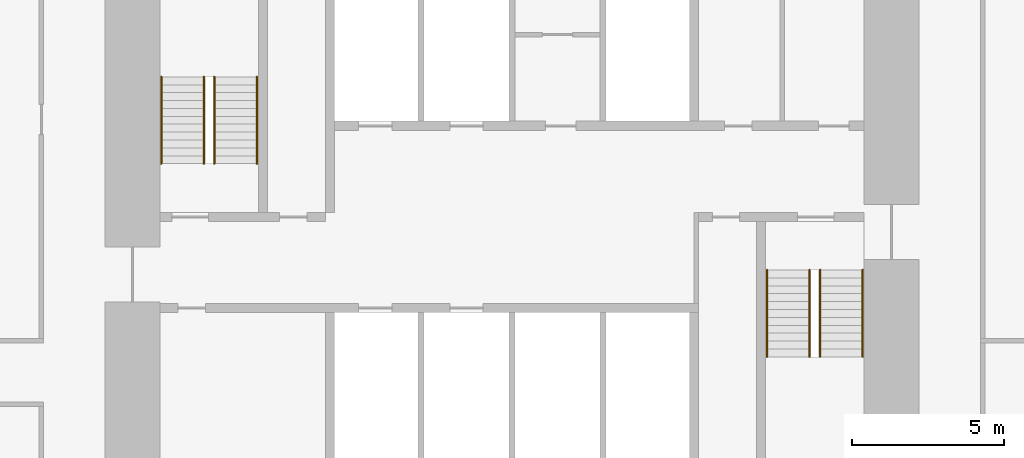
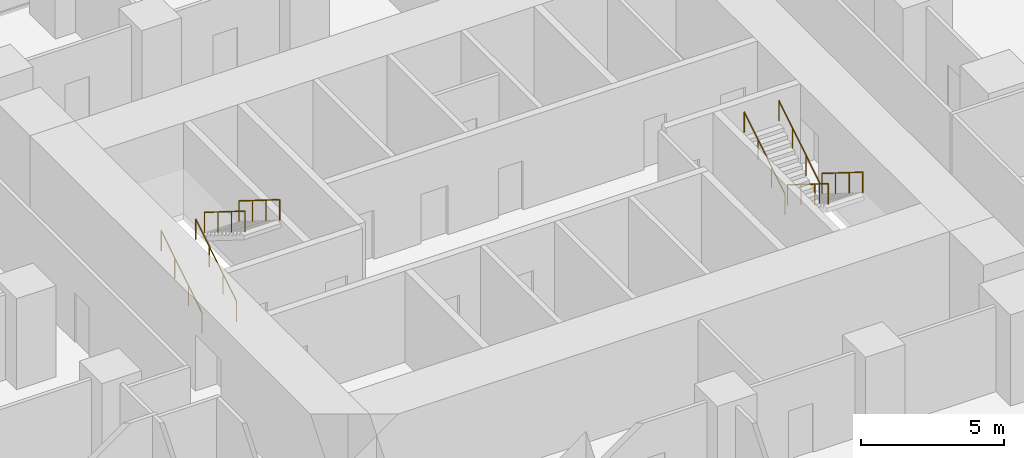
# One storey, part 12 of 12: 8 railings.
"""IFC4 building model written with IfcOpenShell, lengths in metres."""

from ifc_helpers import new_model, si_unit, direction, frame, origin, origin_2d, place, context, subcontext, project, spatial, circle, extrude, material, type_object, element, save


model = new_model("IFC4")

# Units and contexts
model_context = context("Model", 3, precision=1e-05, world=origin(), true_north=direction((0.0, 1.0)))
body_context = subcontext(model_context, "Body", "Model", "MODEL_VIEW")
ifc_project = project(units=[si_unit("LENGTHUNIT", "METRE"), si_unit("AREAUNIT", "SQUARE_METRE"), si_unit("VOLUMEUNIT", "CUBIC_METRE"), si_unit("PLANEANGLEUNIT", "RADIAN"), si_unit("MASSUNIT", "GRAM", prefix="KILO")], contexts=[model_context])

# Site, building, storey
site_placement = place(None, origin())
site = spatial("IfcSite", under=ifc_project, at=site_placement, CompositionType="ELEMENT")
building_placement = place(site_placement, origin())
building = spatial("IfcBuilding", under=site, at=building_placement, Name="Highveld Stack Headquarters", CompositionType="ELEMENT")
storey_placement = place(building_placement, frame((0.0, 0.0, 160.10009765625)))
storey = spatial("IfcBuildingStorey", under=building, at=storey_placement, Name="L39", CompositionType="ELEMENT", Elevation=160.10009765625)

# Railings
ifc_material = material(Name="Stainless steel handrail", Category="steel")
railing_type = type_object("IfcRailingType", Name="STAIR HANDRAIL HR1 900", PredefinedType="HANDRAIL", material=ifc_material)
for number, where, name in (
    (1, (-5.550048828125, 4.75, 0.162353515625), "Handrail S1 L39 flight 1"),
    (2, (-4.14990234375, 4.75, 0.162353515625), "Handrail S1 L39 flight 1"),
):
    element("IfcRailing", number, at=place(storey_placement, frame(where)), inside=storey, type_object=railing_type, Name=name, PredefinedType="HANDRAIL", context=body_context, shape_type="SweptSolid", body=[
        extrude(circle(Radius=0.02392578125, at=origin_2d()), frame((0.0, 0.0, 0.8759765625), z_axis=(0.0, 0.847994237388, 0.530005446535), x_axis=(-1.0, 0.0, 0.0)), (0.0, 0.0, 1.0), 3.372802734375),
        extrude(circle(Radius=0.02099609375, at=origin_2d()), origin(), (0.0, 0.0, 1.0), 0.851806640625),
        extrude(circle(Radius=0.02099609375, at=origin_2d()), frame((0.0, 0.953369140625, 0.595947265625)), (0.0, 0.0, 1.0), 0.851806640625),
        extrude(circle(Radius=0.02099609375, at=origin_2d()), frame((0.0, 1.90673828125, 1.191650390625)), (0.0, 0.0, 1.0), 0.851806640625),
        extrude(circle(Radius=0.02099609375, at=origin_2d()), frame((0.0, 2.860107421875, 1.78759765625)), (0.0, 0.0, 1.0), 0.851806640625),
    ])
for number, where, name in (
    (3, (-3.800048828125, 7.610107421875, 2.1123046875), "Handrail S1 L39 flight 2"),
    (4, (-2.39990234375, 7.610107421875, 2.1123046875), "Handrail S1 L39 flight 2"),
    (5, (16.14990234375, 1.25, 0.162353515625), "Handrail S2 L39 flight 1"),
    (6, (17.550048828125, 1.25, 0.162353515625), "Handrail S2 L39 flight 1"),
):
    element("IfcRailing", number, at=place(storey_placement, frame(where)), inside=storey, type_object=railing_type, Name=name, PredefinedType="HANDRAIL", context=body_context, shape_type="SweptSolid", body=[
        extrude(circle(Radius=0.02392578125, at=origin_2d()), frame((0.0, 0.0, 0.8759765625), z_axis=(0.0, -0.847994237388, 0.530005446535), x_axis=(1.0, 0.0, 0.0)), (0.0, 0.0, 1.0), 3.372802734375),
        extrude(circle(Radius=0.02099609375, at=origin_2d()), origin(), (0.0, 0.0, 1.0), 0.851806640625),
        extrude(circle(Radius=0.02099609375, at=origin_2d()), frame((0.0, -0.953369140625, 0.595947265625)), (0.0, 0.0, 1.0), 0.851806640625),
        extrude(circle(Radius=0.02099609375, at=origin_2d()), frame((0.0, -1.90673828125, 1.191650390625)), (0.0, 0.0, 1.0), 0.851806640625),
        extrude(circle(Radius=0.02099609375, at=origin_2d()), frame((0.0, -2.860107421875, 1.78759765625)), (0.0, 0.0, 1.0), 0.851806640625),
    ])
for number, where, name in (
    (7, (14.39990234375, -1.610107421875, 2.1123046875), "Handrail S2 L39 flight 2"),
    (8, (15.800048828125, -1.610107421875, 2.1123046875), "Handrail S2 L39 flight 2"),
):
    element("IfcRailing", number, at=place(storey_placement, frame(where)), inside=storey, type_object=railing_type, Name=name, PredefinedType="HANDRAIL", context=body_context, shape_type="SweptSolid", body=[
        extrude(circle(Radius=0.02392578125, at=origin_2d()), frame((0.0, 0.0, 0.8759765625), z_axis=(0.0, 0.847994237388, 0.530005446535), x_axis=(-1.0, 0.0, 0.0)), (0.0, 0.0, 1.0), 3.372802734375),
        extrude(circle(Radius=0.02099609375, at=origin_2d()), origin(), (0.0, 0.0, 1.0), 0.851806640625),
        extrude(circle(Radius=0.02099609375, at=origin_2d()), frame((0.0, 0.953369140625, 0.595947265625)), (0.0, 0.0, 1.0), 0.851806640625),
        extrude(circle(Radius=0.02099609375, at=origin_2d()), frame((0.0, 1.90673828125, 1.191650390625)), (0.0, 0.0, 1.0), 0.851806640625),
        extrude(circle(Radius=0.02099609375, at=origin_2d()), frame((0.0, 2.860107421875, 1.78759765625)), (0.0, 0.0, 1.0), 0.851806640625),
    ])

save(model, "model.ifc")
